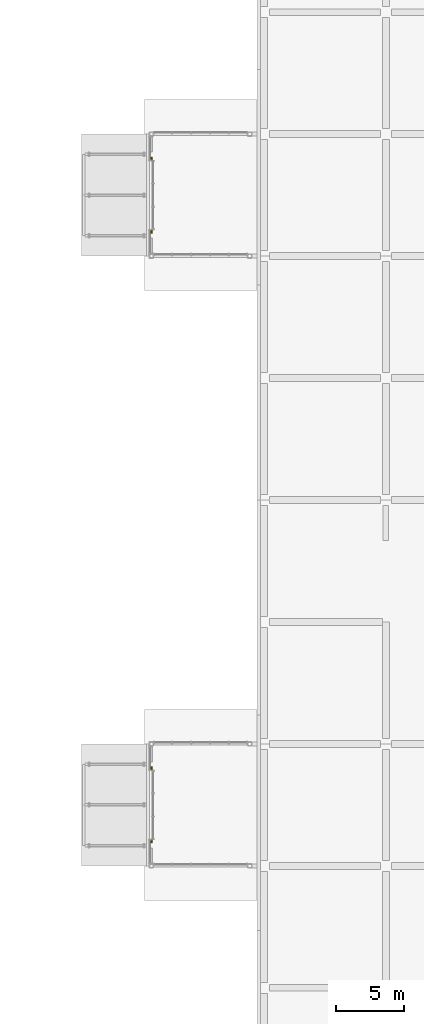
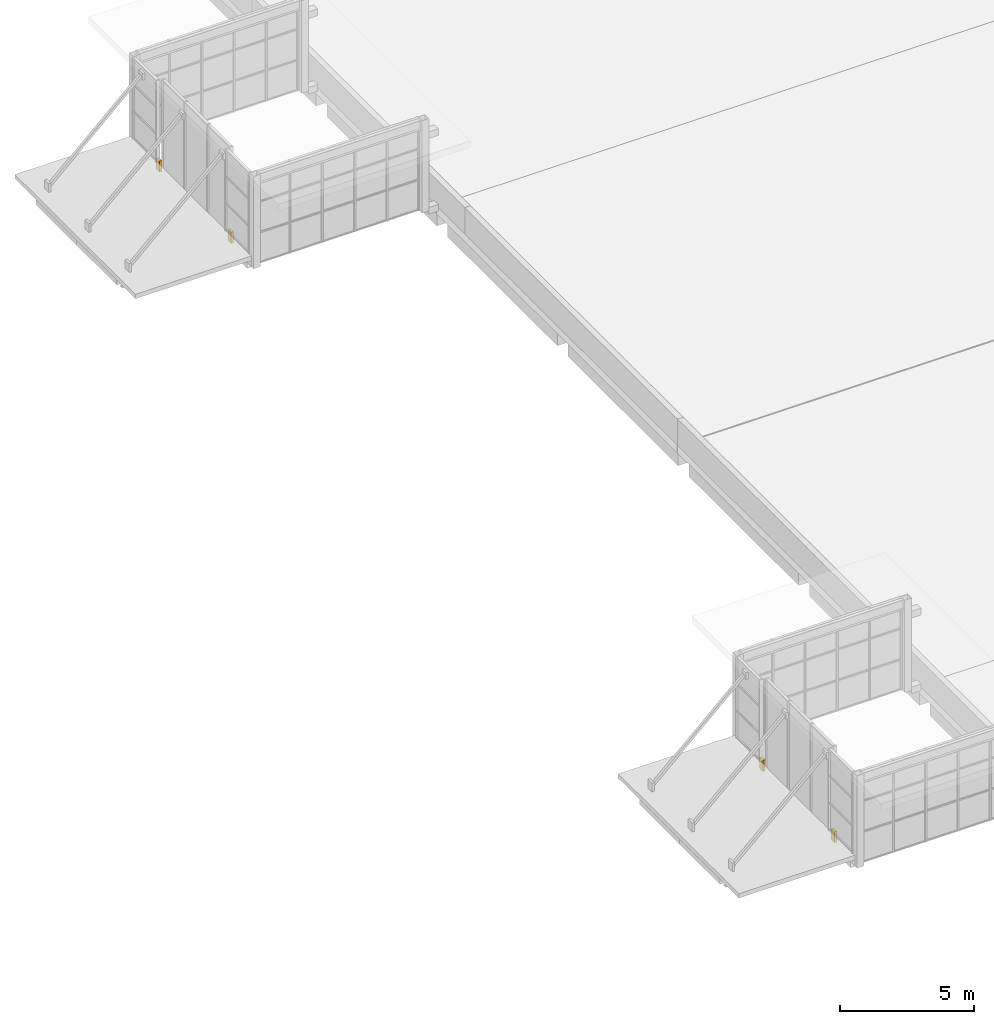
# One storey, part 178 of 182: 4 coverings.
"""IFC4 building model written with IfcOpenShell, lengths in metres."""

from ifc_helpers import new_model, si_unit, direction, frame, origin, place, context, subcontext, project, spatial, polyline, outline, extrude, material, layer, layer_set, type_object, element, save


model = new_model("IFC4")

# Units and contexts
model_context = context("Model", 3, precision=1e-05, world=origin(), true_north=direction((0.0, 1.0)))
body_context = subcontext(model_context, "Body", "Model", "MODEL_VIEW")
ifc_project = project(units=[si_unit("LENGTHUNIT", "METRE"), si_unit("AREAUNIT", "SQUARE_METRE"), si_unit("VOLUMEUNIT", "CUBIC_METRE"), si_unit("PLANEANGLEUNIT", "RADIAN"), si_unit("MASSUNIT", "GRAM", prefix="KILO")], contexts=[model_context])

# Site, building, storey
site_placement = place(None, origin())
site = spatial("IfcSite", under=ifc_project, at=site_placement, CompositionType="ELEMENT")
building_placement = place(site_placement, origin())
building = spatial("IfcBuilding", under=site, at=building_placement, Name="Silverbay Arena", CompositionType="ELEMENT")
storey_placement = place(building_placement, frame((0.0, 0.0, 11.5)))
storey = spatial("IfcBuildingStorey", under=building, at=storey_placement, Name="L02", CompositionType="ELEMENT", Elevation=11.5)

# Coverings
ifc_material = material(Name="Aluminium composite cladding", Category="aluminium")
ifc_layer = layer(ifc_material, 0.10009765625)
ifc_layer_set = layer_set([ifc_layer], Name="Aluminium composite cladding")
covering_type = type_object("IfcCoveringType", Name="Canopy band cladding 100", PredefinedType="CLADDING", material=ifc_layer_set)
covering_1_placement = place(storey_placement, origin())
element("IfcCovering", 1, at=covering_1_placement, inside=storey, type_object=covering_type, Name="Canopy band cladding", PredefinedType="CLADDING", context=body_context, shape_type="SweptSolid", body=[
    extrude(outline(polyline([(18.64990234375, 55.699951171875), (18.75, 55.699951171875), (18.75, 55.949951171875), (18.64990234375, 55.949951171875), (18.64990234375, 55.699951171875)])), origin(), (0.0, 0.0, 1.0), 0.5),
])
covering_2_placement = place(storey_placement, origin())
element("IfcCovering", 2, at=covering_2_placement, inside=storey, type_object=covering_type, Name="Canopy band cladding", PredefinedType="CLADDING", context=body_context, shape_type="SweptSolid", body=[
    extrude(outline(polyline([(18.64990234375, 61.050048828125), (18.75, 61.050048828125), (18.75, 61.300048828125), (18.64990234375, 61.300048828125), (18.64990234375, 61.050048828125)])), origin(), (0.0, 0.0, 1.0), 0.5),
])
covering_3_placement = place(storey_placement, origin())
element("IfcCovering", 3, at=covering_3_placement, inside=storey, type_object=covering_type, Name="Canopy band cladding", PredefinedType="CLADDING", context=body_context, shape_type="SweptSolid", body=[
    extrude(outline(polyline([(18.64990234375, 100.699951171875), (18.75, 100.699951171875), (18.75, 100.949951171875), (18.64990234375, 100.949951171875), (18.64990234375, 100.699951171875)])), origin(), (0.0, 0.0, 1.0), 0.5),
])
covering_4_placement = place(storey_placement, origin())
element("IfcCovering", 4, at=covering_4_placement, inside=storey, type_object=covering_type, Name="Canopy band cladding", PredefinedType="CLADDING", context=body_context, shape_type="SweptSolid", body=[
    extrude(outline(polyline([(18.64990234375, 106.050048828125), (18.75, 106.050048828125), (18.75, 106.300048828125), (18.64990234375, 106.300048828125), (18.64990234375, 106.050048828125)])), origin(), (0.0, 0.0, 1.0), 0.5),
])

save(model, "model.ifc")
